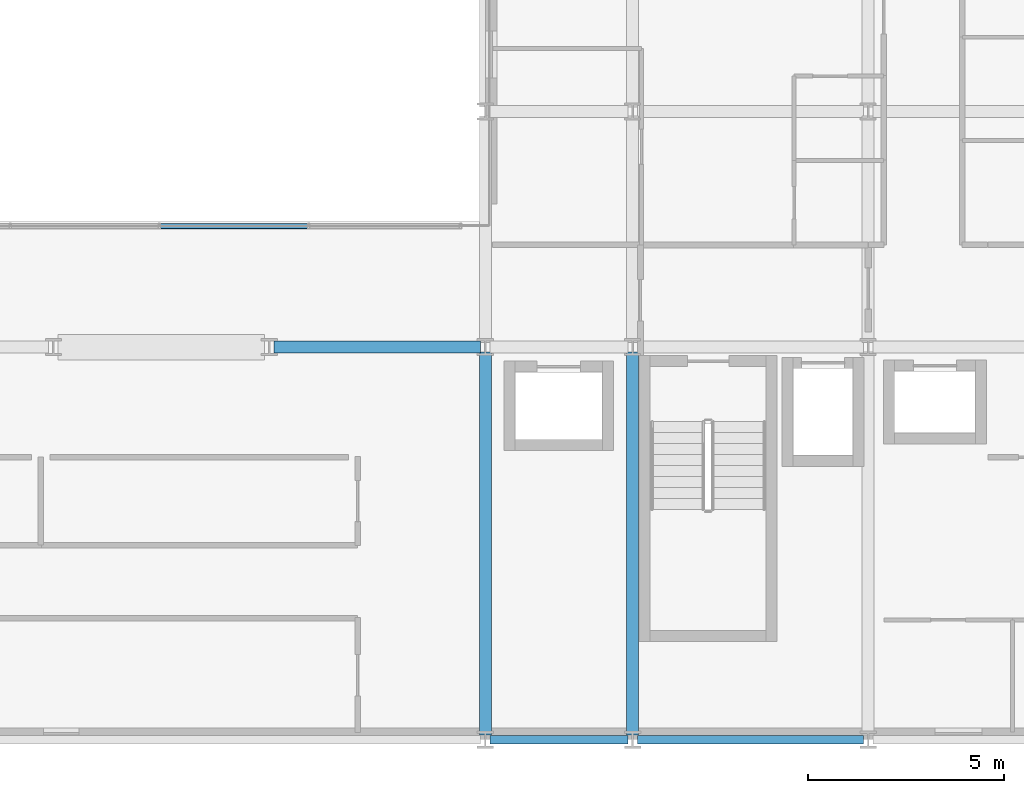
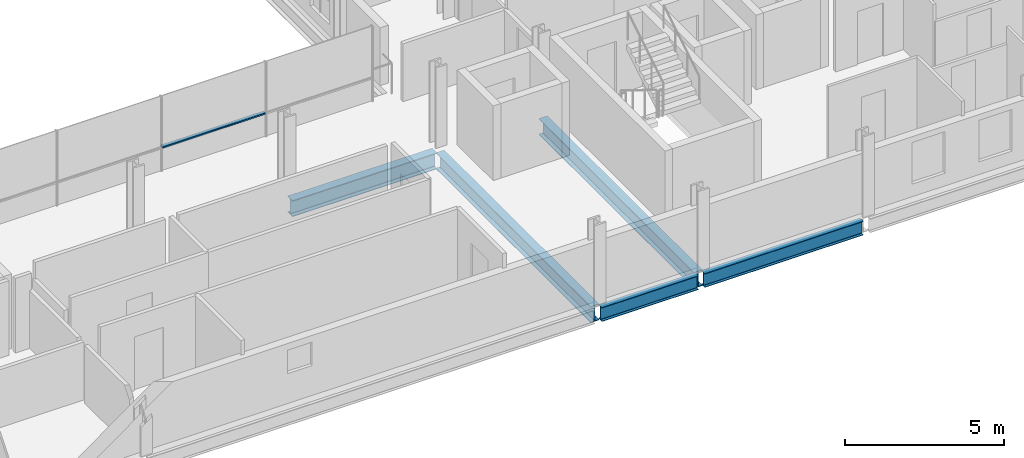
# One storey, part 12 of 38: 5 beams, 1 member, 1 element without a shape of its own.
"""IFC4 building model written with IfcOpenShell, lengths in metres."""

from ifc_helpers import new_model, si_unit, direction, frame, origin, origin_2d, place, context, subcontext, project, spatial, hollow_rectangle, i_section, extrude, material, layer, layer_set, material_profile, profile_set, type_object, element, aggregate, save


model = new_model("IFC4")

# Units and contexts
model_context = context("Model", 3, precision=1e-05, world=origin(), true_north=direction((0.0, 1.0)))
body_context = subcontext(model_context, "Body", "Model", "MODEL_VIEW")
ifc_project = project(units=[si_unit("LENGTHUNIT", "METRE"), si_unit("AREAUNIT", "SQUARE_METRE"), si_unit("VOLUMEUNIT", "CUBIC_METRE"), si_unit("PLANEANGLEUNIT", "RADIAN"), si_unit("MASSUNIT", "GRAM", prefix="KILO")], contexts=[model_context])

# Site, building, storey
site_placement = place(None, origin())
site = spatial("IfcSite", under=ifc_project, at=site_placement, CompositionType="ELEMENT")
building_placement = place(site_placement, origin())
building = spatial("IfcBuilding", under=site, at=building_placement, Name="Brevholm Reach", CompositionType="ELEMENT")
storey_placement = place(building_placement, frame((0.0, 0.0, 65.199951171875)))
storey = spatial("IfcBuildingStorey", under=building, at=storey_placement, Name="L18", CompositionType="ELEMENT", Elevation=65.199951171875)

# Beams
ifc_material_1 = material(Name="Structural Steel S355J2", Category="steel")
ifc_material_profile_1 = material_profile(ifc_material_1, i_section(OverallWidth=0.210693359375, OverallDepth=0.53955078125, WebThickness=0.01171875, FlangeThickness=0.018798828125, FilletRadius=0.0126953125, at=origin_2d()), Name="UKB 533x210x109")
ifc_profile_set_1 = profile_set([ifc_material_profile_1], Name="Structural Steel S355J2")
beam_type_1 = type_object("IfcBeamType", Name="BM-SP539", PredefinedType="SPANDREL", material=ifc_profile_set_1)
beam_1_placement = place(storey_placement, frame((38.3701171875, 0.0, -0.499755859375), z_axis=(1.0, 0.0, 0.0), x_axis=(0.0, 1.0, 0.0)))
element("IfcBeam", 1, at=beam_1_placement, inside=storey, type_object=beam_type_1, Name="L18 SP-01B Framing Beam", PredefinedType="SPANDREL", context=body_context, shape_type="SweptSolid", body=[
    extrude(i_section(OverallWidth=0.210693359375, OverallDepth=0.53955078125, WebThickness=0.01171875, FlangeThickness=0.018798828125, FilletRadius=0.0126953125, at=origin_2d()), origin(), (0.0, 0.0, 1.0), 3.509765625),
])
beam_2_placement = place(storey_placement, frame((42.1201171875, 0.0, -0.499755859375), z_axis=(1.0, 0.0, 0.0), x_axis=(0.0, 1.0, 0.0)))
element("IfcBeam", 2, at=beam_2_placement, inside=storey, type_object=beam_type_1, Name="L18 SP-01B Framing Beam", PredefinedType="SPANDREL", context=body_context, shape_type="SweptSolid", body=[
    extrude(i_section(OverallWidth=0.210693359375, OverallDepth=0.53955078125, WebThickness=0.01171875, FlangeThickness=0.018798828125, FilletRadius=0.0126953125, at=origin_2d()), origin(), (0.0, 0.0, 1.0), 5.759765625),
])
ifc_material_2 = material(Name="Structural Steel S355J2", Category="steel")
ifc_material_profile_2 = material_profile(ifc_material_2, i_section(OverallWidth=0.30712890625, OverallDepth=0.6201171875, WebThickness=0.01416015625, FlangeThickness=0.023681640625, FilletRadius=0.0166015625, at=origin_2d()), Name="UKB 610x305x179")
ifc_profile_set_2 = profile_set([ifc_material_profile_2], Name="Structural Steel S355J2")
beam_type_2 = type_object("IfcBeamType", Name="BM-UKB610H", PredefinedType="USERDEFINED", material=ifc_profile_set_2)
beam_3_placement = place(storey_placement, frame((32.8701171875, 10.0, -0.5400390625), z_axis=(1.0, 0.0, 0.0), x_axis=(0.0, 1.0, 0.0)))
element("IfcBeam", 3, at=beam_3_placement, inside=storey, type_object=beam_type_2, Name="L18 G-06 Framing Beam", ObjectType="GIRDER", PredefinedType="USERDEFINED", context=body_context, shape_type="SweptSolid", body=[
    extrude(i_section(OverallWidth=0.30712890625, OverallDepth=0.6201171875, WebThickness=0.01416015625, FlangeThickness=0.023681640625, FilletRadius=0.0166015625, at=origin_2d()), origin(), (0.0, 0.0, 1.0), 5.259765625),
])
for number, where, z_axis, x_axis, name in (
    (4, (38.25, 0.1201171875, -0.5400390625), (0.0, 1.0, 0.0), (-1.0, 0.0, 0.0), "L18 G-06 Framing Beam"),
    (5, (42.0, 0.1201171875, -0.5400390625), (0.0, 1.0, 0.0), (-1.0, 0.0, 0.0), "L18 G-06 Framing Beam"),
):
    element("IfcBeam", number, at=place(storey_placement, frame(where, z_axis=z_axis, x_axis=x_axis)), inside=storey, type_object=beam_type_2, Name=name, ObjectType="GIRDER", PredefinedType="USERDEFINED", context=body_context, shape_type="SweptSolid", body=[
        extrude(i_section(OverallWidth=0.30712890625, OverallDepth=0.6201171875, WebThickness=0.01416015625, FlangeThickness=0.023681640625, FilletRadius=0.0166015625, at=origin_2d()), origin(), (0.0, 0.0, 1.0), 9.759765625),
    ])

# Curtain wall, member
ifc_material_3 = material(Name="Dark Anodised Aluminium 6063-T6 and Solar-Control Glass", Category="aluminium")
ifc_layer = layer(ifc_material_3, 0.139892578125)
ifc_layer_set = layer_set([ifc_layer], Name="Dark Anodised Aluminium 6063-T6 and Solar-Control Glass")
curtain_wall_type = type_object("IfcCurtainWallType", Name="CW-02", PredefinedType="NOTDEFINED", material=ifc_layer_set)
curtain_wall_placement = place(storey_placement, origin())
curtain_wall = element("IfcCurtainWall", 6, at=curtain_wall_placement, inside=storey, type_object=curtain_wall_type, Name="L18 Curtain Wall CW-02", PredefinedType="NOTDEFINED")
ifc_material_4 = material(Name="Dark Anodised Aluminium 6063-T6", Category="aluminium")
ifc_material_profile_3 = material_profile(ifc_material_4, hollow_rectangle(XDim=0.06005859375, YDim=0.139892578125, WallThickness=0.0048828125, InnerFilletRadius=0.0048828125, OuterFilletRadius=0.010009765625, at=origin_2d()), Name="RHS 140x60x5")
ifc_profile_set_3 = profile_set([ifc_material_profile_3], Name="Dark Anodised Aluminium 6063-T6")
member_type = type_object("IfcMemberType", Name="CWT-140", PredefinedType="NOTDEFINED", material=ifc_profile_set_3)
member_placement = place(storey_placement, frame((29.97998046875, 13.080078125, 0.900146484375), z_axis=(1.0, 0.0, 0.0), x_axis=(0.0, 0.0, 1.0)))
member = element("IfcMember", 7, at=member_placement, type_object=member_type, Name="CT-140 Transom 3.1", ObjectType="TRANSOM", PredefinedType="USERDEFINED", context=body_context, shape_type="SweptSolid", body=[
    extrude(hollow_rectangle(XDim=0.06005859375, YDim=0.139892578125, WallThickness=0.0048828125, InnerFilletRadius=0.0048828125, OuterFilletRadius=0.010009765625, at=origin_2d()), origin(), (0.0, 0.0, 1.0), 3.739990234375),
])
aggregate(curtain_wall, [member])

save(model, "model.ifc")
